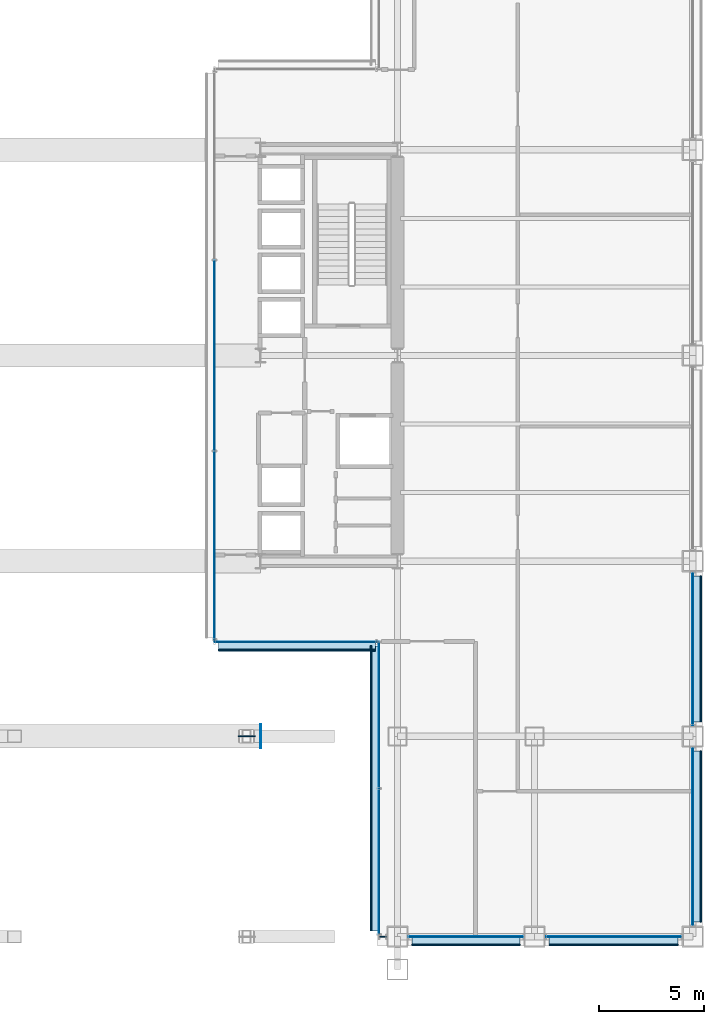
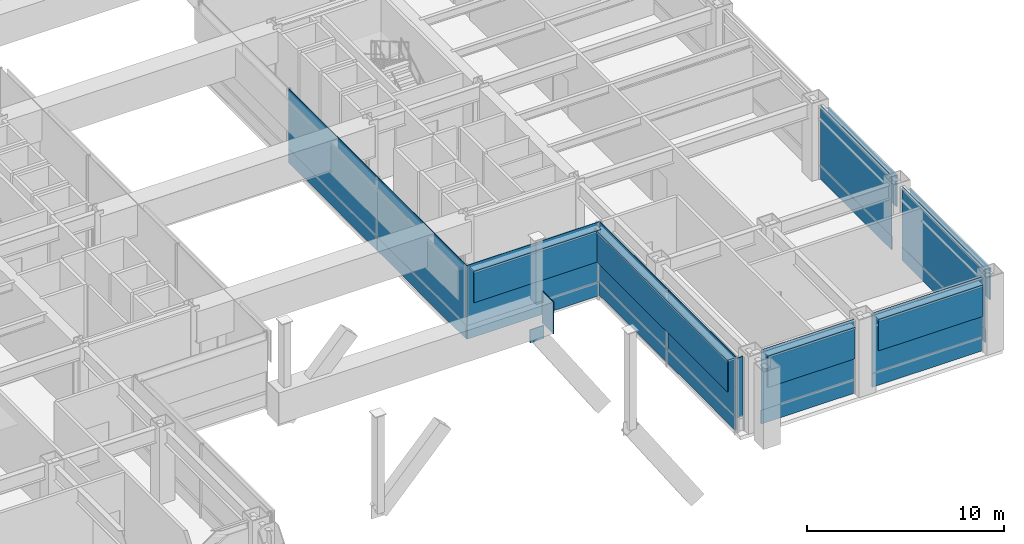
# One storey, part 31 of 42: 33 plates, 8 elements without a shape of their own.
"""IFC4 building model written with IfcOpenShell, lengths in metres."""

from ifc_helpers import new_model, si_unit, direction, frame, origin, origin_2d, place, context, subcontext, project, spatial, rectangle, extrude, material, layer, layer_set, type_object, element, aggregate, save


model = new_model("IFC4")

# Units and contexts
model_context = context("Model", 3, precision=1e-05, world=origin(), true_north=direction((0.0, 1.0)))
body_context = subcontext(model_context, "Body", "Model", "MODEL_VIEW")
ifc_project = project(units=[si_unit("LENGTHUNIT", "METRE"), si_unit("AREAUNIT", "SQUARE_METRE"), si_unit("VOLUMEUNIT", "CUBIC_METRE"), si_unit("PLANEANGLEUNIT", "RADIAN"), si_unit("MASSUNIT", "GRAM", prefix="KILO")], contexts=[model_context])

# Site, building, storey
site_placement = place(None, origin())
site = spatial("IfcSite", under=ifc_project, at=site_placement, CompositionType="ELEMENT")
building_placement = place(site_placement, origin())
building = spatial("IfcBuilding", under=site, at=building_placement, Name="Brelmoor Portico Tower", CompositionType="ELEMENT")
storey_placement = place(building_placement, frame((0.0, 0.0, 9.60009765625)))
storey = spatial("IfcBuildingStorey", under=building, at=storey_placement, Name="L02", CompositionType="ELEMENT", Elevation=9.60009765625)

# Plate
ifc_material_1 = material(Name="Steel Q355B", Category="steel")
ifc_layer_1 = layer(ifc_material_1, 0.044921875)
ifc_layer_set_1 = layer_set([ifc_layer_1], Name="Steel Q355B")
plate_type_1 = type_object("IfcPlateType", Name="PT-CAP-650", PredefinedType="SHEET", material=ifc_layer_set_1)
plate_1_placement = place(storey_placement, frame((8.070068359375, -18.050048828125, 2.60986328125), z_axis=(0.0, 0.0, 1.0), x_axis=(1.0, 0.0, 0.0)))
element("IfcPlate", 1, at=plate_1_placement, inside=storey, type_object=plate_type_1, Name="L02 Portico Arch Transfer Box End Cap Plate 01-E", PredefinedType="SHEET", context=body_context, shape_type="SweptSolid", body=[
    extrude(rectangle(XDim=0.0400390625, YDim=1.139892578125, at=origin_2d()), origin(), (0.0, 0.0, 1.0), 1.989990234375),
])

# Curtain wall, plate
ifc_material_2 = material(Name="Anodised Aluminium Alloy 6063-T6", Category="aluminium")
ifc_layer_2 = layer(ifc_material_2, 0.179931640625)
ifc_layer_set_2 = layer_set([ifc_layer_2], Name="Anodised Aluminium Alloy 6063-T6")
curtain_wall_type = type_object("IfcCurtainWallType", Name="CW-PODIUM-ARCH", PredefinedType="NOTDEFINED", material=ifc_layer_set_2)
curtain_wall_1_placement = place(storey_placement, origin())
curtain_wall_1 = element("IfcCurtainWall", 2, at=curtain_wall_1_placement, inside=storey, type_object=curtain_wall_type, Name="L02 Curtain Wall CW-L02-02-1", PredefinedType="NOTDEFINED")
ifc_material_3 = material(Name="Double-Silver Low-E Insulated Glazing", Category="glass")
ifc_layer_3 = layer(ifc_material_3, 0.035888671875)
ifc_layer_set_3 = layer_set([ifc_layer_3], Name="Double-Silver Low-E Insulated Glazing")
plate_type_2 = type_object("IfcPlateType", Name="PT-CW-GLASS", PredefinedType="CURTAIN_PANEL", material=ifc_layer_set_3)
plate_2_placement = place(storey_placement, frame((13.860107421875, -27.550048828125, 0.849853515625), z_axis=(0.0, 0.0, 1.0), x_axis=(1.0, 0.0, 0.0)))
plate_2 = element("IfcPlate", 3, at=plate_2_placement, type_object=plate_type_2, Name="CW-L02-02-1 Vision Glass Panel 00", PredefinedType="CURTAIN_PANEL", context=body_context, shape_type="SweptSolid", body=[
    extrude(rectangle(XDim=0.330078125, YDim=0.035888671875, at=origin_2d()), origin(), (0.0, 0.0, 1.0), 3.72998046875),
])
aggregate(curtain_wall_1, [plate_2])

curtain_wall_2_placement = place(storey_placement, origin())
curtain_wall_2 = element("IfcCurtainWall", 4, at=curtain_wall_2_placement, inside=storey, type_object=curtain_wall_type, Name="L02 Curtain Wall CW-L02-02-2", PredefinedType="NOTDEFINED")
plate_3_placement = place(storey_placement, frame((17.800048828125, -27.550048828125, 0.849853515625), z_axis=(0.0, 0.0, 1.0), x_axis=(1.0, 0.0, 0.0)))
plate_3 = element("IfcPlate", 5, at=plate_3_placement, type_object=plate_type_2, Name="CW-L02-02-2 Vision Glass Panel 00", PredefinedType="CURTAIN_PANEL", context=body_context, shape_type="SweptSolid", body=[
    extrude(rectangle(XDim=5.449951171875, YDim=0.035888671875, at=origin_2d()), origin(), (0.0, 0.0, 1.0), 3.72998046875),
])

curtain_wall_3_placement = place(storey_placement, origin())
curtain_wall_3 = element("IfcCurtainWall", 6, at=curtain_wall_3_placement, inside=storey, type_object=curtain_wall_type, Name="L02 Curtain Wall CW-L02-02-3", PredefinedType="NOTDEFINED")
plate_4_placement = place(storey_placement, frame((24.800048828125, -27.550048828125, 0.849853515625), z_axis=(0.0, 0.0, 1.0), x_axis=(1.0, 0.0, 0.0)))
plate_4 = element("IfcPlate", 7, at=plate_4_placement, type_object=plate_type_2, Name="CW-L02-02-3 Vision Glass Panel 00", PredefinedType="CURTAIN_PANEL", context=body_context, shape_type="SweptSolid", body=[
    extrude(rectangle(XDim=6.449951171875, YDim=0.035888671875, at=origin_2d()), origin(), (0.0, 0.0, 1.0), 3.72998046875),
])

curtain_wall_4_placement = place(storey_placement, origin())
curtain_wall_4 = element("IfcCurtainWall", 8, at=curtain_wall_4_placement, inside=storey, type_object=curtain_wall_type, Name="L02 Curtain Wall CW-L02-06-1", PredefinedType="NOTDEFINED")
plate_5_placement = place(storey_placement, frame((28.550048828125, -22.800048828125, 0.849853515625), z_axis=(0.0, 0.0, 1.0), x_axis=(0.0, 1.0, 0.0)))
plate_5 = element("IfcPlate", 9, at=plate_5_placement, type_object=plate_type_2, Name="CW-L02-06-1 Vision Glass Panel 00", PredefinedType="CURTAIN_PANEL", context=body_context, shape_type="SweptSolid", body=[
    extrude(rectangle(XDim=8.449951171875, YDim=0.035888671875, at=origin_2d()), origin(), (0.0, 0.0, 1.0), 3.72998046875),
])

curtain_wall_5_placement = place(storey_placement, origin())
curtain_wall_5 = element("IfcCurtainWall", 10, at=curtain_wall_5_placement, inside=storey, type_object=curtain_wall_type, Name="L02 Curtain Wall CW-L02-06-2", PredefinedType="NOTDEFINED")
plate_6_placement = place(storey_placement, frame((28.550048828125, -13.89990234375, 0.849853515625), z_axis=(0.0, 0.0, 1.0), x_axis=(0.0, 1.0, 0.0)))
plate_6 = element("IfcPlate", 11, at=plate_6_placement, type_object=plate_type_2, Name="CW-L02-06-2 Vision Glass Panel 00", PredefinedType="CURTAIN_PANEL", context=body_context, shape_type="SweptSolid", body=[
    extrude(rectangle(XDim=7.25, YDim=0.035888671875, at=origin_2d()), origin(), (0.0, 0.0, 1.0), 3.72998046875),
])

# Curtain wall, plates
curtain_wall_6_placement = place(storey_placement, origin())
curtain_wall_6 = element("IfcCurtainWall", 12, at=curtain_wall_6_placement, inside=storey, type_object=curtain_wall_type, Name="L02 Curtain Wall CW-L02-08", PredefinedType="NOTDEFINED")
plate_7_placement = place(storey_placement, frame((13.679931640625, -23.982421875, 0.849853515625), z_axis=(0.0, 0.0, 1.0), x_axis=(0.0, 1.0, 0.0)))
plate_7 = element("IfcPlate", 13, at=plate_7_placement, type_object=plate_type_2, Name="CW-L02-08 Vision Glass Panel 00", PredefinedType="CURTAIN_PANEL", context=body_context, shape_type="SweptSolid", body=[
    extrude(rectangle(XDim=6.905029296875, YDim=0.035888671875, at=origin_2d()), origin(), (0.0, 0.0, 1.0), 3.72998046875),
])
plate_8_placement = place(storey_placement, frame((13.679931640625, -17.047607421875, 0.849853515625), z_axis=(0.0, 0.0, 1.0), x_axis=(0.0, 1.0, 0.0)))
plate_8 = element("IfcPlate", 14, at=plate_8_placement, type_object=plate_type_2, Name="CW-L02-08 Vision Glass Panel 01", PredefinedType="CURTAIN_PANEL", context=body_context, shape_type="SweptSolid", body=[
    extrude(rectangle(XDim=6.905029296875, YDim=0.035888671875, at=origin_2d()), origin(), (0.0, 0.0, 1.0), 3.72998046875),
])

# Curtain wall, plate
curtain_wall_7_placement = place(storey_placement, origin())
curtain_wall_7 = element("IfcCurtainWall", 15, at=curtain_wall_7_placement, inside=storey, type_object=curtain_wall_type, Name="L02 Curtain Wall CW-L02-12", PredefinedType="NOTDEFINED")
plate_9_placement = place(storey_placement, frame((9.780029296875, -13.580078125, 0.849853515625), z_axis=(0.0, 0.0, 1.0), x_axis=(1.0, 0.0, 0.0)))
plate_9 = element("IfcPlate", 16, at=plate_9_placement, type_object=plate_type_2, Name="CW-L02-12 Vision Glass Panel 00", PredefinedType="CURTAIN_PANEL", context=body_context, shape_type="SweptSolid", body=[
    extrude(rectangle(XDim=7.77001953125, YDim=0.035888671875, at=origin_2d()), origin(), (0.0, 0.0, 1.0), 3.72998046875),
])

# Curtain wall, plates
curtain_wall_8_placement = place(storey_placement, origin())
curtain_wall_8 = element("IfcCurtainWall", 17, at=curtain_wall_8_placement, inside=storey, type_object=curtain_wall_type, Name="L02 Curtain Wall CW-L02-16", PredefinedType="NOTDEFINED")
plate_10_placement = place(storey_placement, frame((5.8798828125, -9.05322265625, 0.849853515625), z_axis=(0.0, 0.0, 1.0), x_axis=(0.0, 1.0, 0.0)))
plate_10 = element("IfcPlate", 18, at=plate_10_placement, type_object=plate_type_2, Name="CW-L02-16 Vision Glass Panel 00", PredefinedType="CURTAIN_PANEL", context=body_context, shape_type="SweptSolid", body=[
    extrude(rectangle(XDim=9.023193359375, YDim=0.035888671875, at=origin_2d()), origin(), (0.0, 0.0, 1.0), 3.72998046875),
])
plate_11_placement = place(storey_placement, frame((5.8798828125, 0.0, 0.849853515625), z_axis=(0.0, 0.0, 1.0), x_axis=(0.0, 1.0, 0.0)))
plate_11 = element("IfcPlate", 19, at=plate_11_placement, type_object=plate_type_2, Name="CW-L02-16 Vision Glass Panel 01", PredefinedType="CURTAIN_PANEL", context=body_context, shape_type="SweptSolid", body=[
    extrude(rectangle(XDim=9.023193359375, YDim=0.035888671875, at=origin_2d()), origin(), (0.0, 0.0, 1.0), 3.72998046875),
])

# Plate
ifc_material_4 = material(Name="Pale Champagne Anodised Aluminium Panel", Category="aluminium")
ifc_layer_4 = layer(ifc_material_4, 0.050048828125)
ifc_layer_set_4 = layer_set([ifc_layer_4], Name="Pale Champagne Anodised Aluminium Panel")
plate_type_3 = type_object("IfcPlateType", Name="PT-CW-SPANDREL", PredefinedType="SHEET", material=ifc_layer_set_4)
plate_12_placement = place(storey_placement, frame((17.800048828125, -27.550048828125, -0.000244140625), z_axis=(0.0, 0.0, 1.0), x_axis=(1.0, 0.0, 0.0)))
plate_12 = element("IfcPlate", 20, at=plate_12_placement, type_object=plate_type_3, Name="CW-L02-02-2 Spandrel Panel 00", PredefinedType="SHEET", context=body_context, shape_type="SweptSolid", body=[
    extrude(rectangle(XDim=5.449951171875, YDim=0.050048828125, at=origin_2d()), origin(), (0.0, 0.0, 1.0), 0.85009765625),
])

aggregate(curtain_wall_2, [plate_12, plate_3])

plate_13_placement = place(storey_placement, frame((24.800048828125, -27.550048828125, -0.000244140625), z_axis=(0.0, 0.0, 1.0), x_axis=(1.0, 0.0, 0.0)))
plate_13 = element("IfcPlate", 21, at=plate_13_placement, type_object=plate_type_3, Name="CW-L02-02-3 Spandrel Panel 00", PredefinedType="SHEET", context=body_context, shape_type="SweptSolid", body=[
    extrude(rectangle(XDim=6.449951171875, YDim=0.050048828125, at=origin_2d()), origin(), (0.0, 0.0, 1.0), 0.85009765625),
])

aggregate(curtain_wall_3, [plate_13, plate_4])

plate_14_placement = place(storey_placement, frame((28.550048828125, -22.800048828125, -0.000244140625), z_axis=(0.0, 0.0, 1.0), x_axis=(0.0, 1.0, 0.0)))
plate_14 = element("IfcPlate", 22, at=plate_14_placement, type_object=plate_type_3, Name="CW-L02-06-1 Spandrel Panel 00", PredefinedType="SHEET", context=body_context, shape_type="SweptSolid", body=[
    extrude(rectangle(XDim=8.449951171875, YDim=0.050048828125, at=origin_2d()), origin(), (0.0, 0.0, 1.0), 0.85009765625),
])

aggregate(curtain_wall_4, [plate_14, plate_5])

plate_15_placement = place(storey_placement, frame((28.550048828125, -13.89990234375, -0.000244140625), z_axis=(0.0, 0.0, 1.0), x_axis=(0.0, 1.0, 0.0)))
plate_15 = element("IfcPlate", 23, at=plate_15_placement, type_object=plate_type_3, Name="CW-L02-06-2 Spandrel Panel 00", PredefinedType="SHEET", context=body_context, shape_type="SweptSolid", body=[
    extrude(rectangle(XDim=7.25, YDim=0.050048828125, at=origin_2d()), origin(), (0.0, 0.0, 1.0), 0.85009765625),
])

aggregate(curtain_wall_5, [plate_15, plate_6])

plate_16_placement = place(storey_placement, frame((13.679931640625, -23.982421875, -0.000244140625), z_axis=(0.0, 0.0, 1.0), x_axis=(0.0, 1.0, 0.0)))
plate_16 = element("IfcPlate", 24, at=plate_16_placement, type_object=plate_type_3, Name="CW-L02-08 Spandrel Panel 00", PredefinedType="SHEET", context=body_context, shape_type="SweptSolid", body=[
    extrude(rectangle(XDim=6.905029296875, YDim=0.050048828125, at=origin_2d()), origin(), (0.0, 0.0, 1.0), 0.85009765625),
])

plate_17_placement = place(storey_placement, frame((13.679931640625, -17.047607421875, -0.000244140625), z_axis=(0.0, 0.0, 1.0), x_axis=(0.0, 1.0, 0.0)))
plate_17 = element("IfcPlate", 25, at=plate_17_placement, type_object=plate_type_3, Name="CW-L02-08 Spandrel Panel 01", PredefinedType="SHEET", context=body_context, shape_type="SweptSolid", body=[
    extrude(rectangle(XDim=6.905029296875, YDim=0.050048828125, at=origin_2d()), origin(), (0.0, 0.0, 1.0), 0.85009765625),
])

aggregate(curtain_wall_6, [plate_16, plate_7, plate_17, plate_8])

plate_18_placement = place(storey_placement, frame((9.780029296875, -13.580078125, -0.000244140625), z_axis=(0.0, 0.0, 1.0), x_axis=(1.0, 0.0, 0.0)))
plate_18 = element("IfcPlate", 26, at=plate_18_placement, type_object=plate_type_3, Name="CW-L02-12 Spandrel Panel 00", PredefinedType="SHEET", context=body_context, shape_type="SweptSolid", body=[
    extrude(rectangle(XDim=7.77001953125, YDim=0.050048828125, at=origin_2d()), origin(), (0.0, 0.0, 1.0), 0.85009765625),
])

aggregate(curtain_wall_7, [plate_18, plate_9])

plate_19_placement = place(storey_placement, frame((5.8798828125, -9.05322265625, -0.000244140625), z_axis=(0.0, 0.0, 1.0), x_axis=(0.0, 1.0, 0.0)))
plate_19 = element("IfcPlate", 27, at=plate_19_placement, type_object=plate_type_3, Name="CW-L02-16 Spandrel Panel 00", PredefinedType="SHEET", context=body_context, shape_type="SweptSolid", body=[
    extrude(rectangle(XDim=9.023193359375, YDim=0.050048828125, at=origin_2d()), origin(), (0.0, 0.0, 1.0), 0.85009765625),
])

plate_20_placement = place(storey_placement, frame((5.8798828125, 0.0, -0.000244140625), z_axis=(0.0, 0.0, 1.0), x_axis=(0.0, 1.0, 0.0)))
plate_20 = element("IfcPlate", 28, at=plate_20_placement, type_object=plate_type_3, Name="CW-L02-16 Spandrel Panel 01", PredefinedType="SHEET", context=body_context, shape_type="SweptSolid", body=[
    extrude(rectangle(XDim=9.023193359375, YDim=0.050048828125, at=origin_2d()), origin(), (0.0, 0.0, 1.0), 0.85009765625),
])

aggregate(curtain_wall_8, [plate_19, plate_10, plate_20, plate_11])

# Plates
ifc_layer_5 = layer(ifc_material_1, 0.050048828125)
ifc_layer_set_5 = layer_set([ifc_layer_5], Name="Steel Q355B")
plate_type_4 = type_object("IfcPlateType", Name="PT-GUSSET-800", PredefinedType="USERDEFINED", material=ifc_layer_set_5)
plate_21_placement = place(storey_placement, frame((7.39990234375, -18.050048828125, 2.10009765625), z_axis=(0.0, 0.0, 1.0), x_axis=(1.0, 0.0, 0.0)))
element("IfcPlate", 29, at=plate_21_placement, inside=storey, type_object=plate_type_4, Name="Portico Arch Gusset Plate S2-6", ObjectType="GUSSET PLATE", PredefinedType="USERDEFINED", context=body_context, shape_type="SweptSolid", body=[
    extrude(rectangle(XDim=0.800048828125, YDim=0.050048828125, at=origin_2d()), origin(), (0.0, 0.0, 1.0), 0.800048828125),
])
ifc_material_5 = material(Name="Powder-Coated Aluminium Shuttered Jalousie Louvre", Category="aluminium")
ifc_layer_6 = layer(ifc_material_5, 0.06005859375)
ifc_layer_set_6 = layer_set([ifc_layer_6], Name="Powder-Coated Aluminium Shuttered Jalousie Louvre")
plate_type_5 = type_object("IfcPlateType", Name="PT-JALOUSIE-SHUTTER", PredefinedType="SHEET", material=ifc_layer_set_6)
plate_22_placement = place(storey_placement, frame((17.800048828125, -27.929931640625, 2.4404296875), z_axis=(0.0, 0.0, 1.0), x_axis=(1.0, 0.0, 0.0)))
element("IfcPlate", 30, at=plate_22_placement, inside=storey, type_object=plate_type_5, Name="CW-L02-02-2 Perforated Jalousie Solar Screen", PredefinedType="SHEET", context=body_context, shape_type="SweptSolid", body=[
    extrude(rectangle(XDim=5.1201171875, YDim=0.06494140625, at=origin_2d()), origin(), (0.0, 0.0, 1.0), 1.939697265625),
])
plate_23_placement = place(storey_placement, frame((24.800048828125, -27.929931640625, 2.4404296875), z_axis=(0.0, 0.0, 1.0), x_axis=(1.0, 0.0, 0.0)))
element("IfcPlate", 31, at=plate_23_placement, inside=storey, type_object=plate_type_5, Name="CW-L02-02-3 Perforated Jalousie Solar Screen", PredefinedType="SHEET", context=body_context, shape_type="SweptSolid", body=[
    extrude(rectangle(XDim=6.1201171875, YDim=0.06494140625, at=origin_2d()), origin(), (0.0, 0.0, 1.0), 1.939697265625),
])
plate_24_placement = place(storey_placement, frame((28.929931640625, -22.800048828125, 2.4404296875), z_axis=(0.0, 0.0, 1.0), x_axis=(0.0, 1.0, 0.0)))
element("IfcPlate", 32, at=plate_24_placement, inside=storey, type_object=plate_type_5, Name="CW-L02-06-1 Perforated Jalousie Solar Screen", PredefinedType="SHEET", context=body_context, shape_type="SweptSolid", body=[
    extrude(rectangle(XDim=8.1201171875, YDim=0.06494140625, at=origin_2d()), origin(), (0.0, 0.0, 1.0), 1.939697265625),
])
plate_25_placement = place(storey_placement, frame((28.929931640625, -13.89990234375, 2.4404296875), z_axis=(0.0, 0.0, 1.0), x_axis=(0.0, 1.0, 0.0)))
element("IfcPlate", 33, at=plate_25_placement, inside=storey, type_object=plate_type_5, Name="CW-L02-06-2 Perforated Jalousie Solar Screen", PredefinedType="SHEET", context=body_context, shape_type="SweptSolid", body=[
    extrude(rectangle(XDim=6.919921875, YDim=0.06494140625, at=origin_2d()), origin(), (0.0, 0.0, 1.0), 1.939697265625),
])
plate_26_placement = place(storey_placement, frame((13.300048828125, -20.514892578125, 2.4404296875), z_axis=(0.0, 0.0, 1.0), x_axis=(0.0, 1.0, 0.0)))
element("IfcPlate", 34, at=plate_26_placement, inside=storey, type_object=plate_type_5, Name="CW-L02-08 Perforated Jalousie Solar Screen", PredefinedType="SHEET", context=body_context, shape_type="SweptSolid", body=[
    extrude(rectangle(XDim=13.510009765625, YDim=0.06494140625, at=origin_2d()), origin(), (0.0, 0.0, 1.0), 1.939697265625),
])
plate_27_placement = place(storey_placement, frame((9.780029296875, -13.9599609375, 2.4404296875), z_axis=(0.0, 0.0, 1.0), x_axis=(1.0, 0.0, 0.0)))
element("IfcPlate", 35, at=plate_27_placement, inside=storey, type_object=plate_type_5, Name="CW-L02-12 Perforated Jalousie Solar Screen", PredefinedType="SHEET", context=body_context, shape_type="SweptSolid", body=[
    extrude(rectangle(XDim=7.43994140625, YDim=0.06494140625, at=origin_2d()), origin(), (0.0, 0.0, 1.0), 1.939697265625),
])
ifc_material_6 = material(Name="Pale Champagne Perforated Aluminium Solar Screen", Category="aluminium")
ifc_layer_7 = layer(ifc_material_6, 0.054931640625)
ifc_layer_set_7 = layer_set([ifc_layer_7], Name="Pale Champagne Perforated Aluminium Solar Screen")
plate_type_6 = type_object("IfcPlateType", Name="PT-SOLAR-LOUVRE", PredefinedType="SHEET", material=ifc_layer_set_7)
plate_28_placement = place(storey_placement, frame((17.800048828125, -27.760009765625, 4.27001953125), z_axis=(0.0, 0.0, 1.0), x_axis=(1.0, 0.0, 0.0)))
element("IfcPlate", 36, at=plate_28_placement, inside=storey, type_object=plate_type_6, Name="CW-L02-02-2 Caribbean Brise-Soleil Solar Screen", PredefinedType="SHEET", context=body_context, shape_type="SweptSolid", body=[
    extrude(rectangle(XDim=5.1201171875, YDim=0.4599609375, at=origin_2d()), origin(), (0.0, 0.0, 1.0), 0.139892578125),
])
plate_29_placement = place(storey_placement, frame((24.800048828125, -27.760009765625, 4.27001953125), z_axis=(0.0, 0.0, 1.0), x_axis=(1.0, 0.0, 0.0)))
element("IfcPlate", 37, at=plate_29_placement, inside=storey, type_object=plate_type_6, Name="CW-L02-02-3 Caribbean Brise-Soleil Solar Screen", PredefinedType="SHEET", context=body_context, shape_type="SweptSolid", body=[
    extrude(rectangle(XDim=6.1201171875, YDim=0.4599609375, at=origin_2d()), origin(), (0.0, 0.0, 1.0), 0.139892578125),
])
plate_30_placement = place(storey_placement, frame((28.760009765625, -22.800048828125, 4.27001953125), z_axis=(0.0, 0.0, 1.0), x_axis=(0.0, 1.0, 0.0)))
element("IfcPlate", 38, at=plate_30_placement, inside=storey, type_object=plate_type_6, Name="CW-L02-06-1 Caribbean Brise-Soleil Solar Screen", PredefinedType="SHEET", context=body_context, shape_type="SweptSolid", body=[
    extrude(rectangle(XDim=8.1201171875, YDim=0.4599609375, at=origin_2d()), origin(), (0.0, 0.0, 1.0), 0.139892578125),
])
plate_31_placement = place(storey_placement, frame((28.760009765625, -13.89990234375, 4.27001953125), z_axis=(0.0, 0.0, 1.0), x_axis=(0.0, 1.0, 0.0)))
element("IfcPlate", 39, at=plate_31_placement, inside=storey, type_object=plate_type_6, Name="CW-L02-06-2 Caribbean Brise-Soleil Solar Screen", PredefinedType="SHEET", context=body_context, shape_type="SweptSolid", body=[
    extrude(rectangle(XDim=6.919921875, YDim=0.4599609375, at=origin_2d()), origin(), (0.0, 0.0, 1.0), 0.139892578125),
])
plate_32_placement = place(storey_placement, frame((13.469970703125, -20.514892578125, 4.27001953125), z_axis=(0.0, 0.0, 1.0), x_axis=(0.0, 1.0, 0.0)))
element("IfcPlate", 40, at=plate_32_placement, inside=storey, type_object=plate_type_6, Name="CW-L02-08 Caribbean Brise-Soleil Solar Screen", PredefinedType="SHEET", context=body_context, shape_type="SweptSolid", body=[
    extrude(rectangle(XDim=13.510009765625, YDim=0.4599609375, at=origin_2d()), origin(), (0.0, 0.0, 1.0), 0.139892578125),
])
plate_33_placement = place(storey_placement, frame((9.780029296875, -13.7900390625, 4.27001953125), z_axis=(0.0, 0.0, 1.0), x_axis=(1.0, 0.0, 0.0)))
element("IfcPlate", 41, at=plate_33_placement, inside=storey, type_object=plate_type_6, Name="CW-L02-12 Caribbean Brise-Soleil Solar Screen", PredefinedType="SHEET", context=body_context, shape_type="SweptSolid", body=[
    extrude(rectangle(XDim=7.43994140625, YDim=0.4599609375, at=origin_2d()), origin(), (0.0, 0.0, 1.0), 0.139892578125),
])

save(model, "model.ifc")
